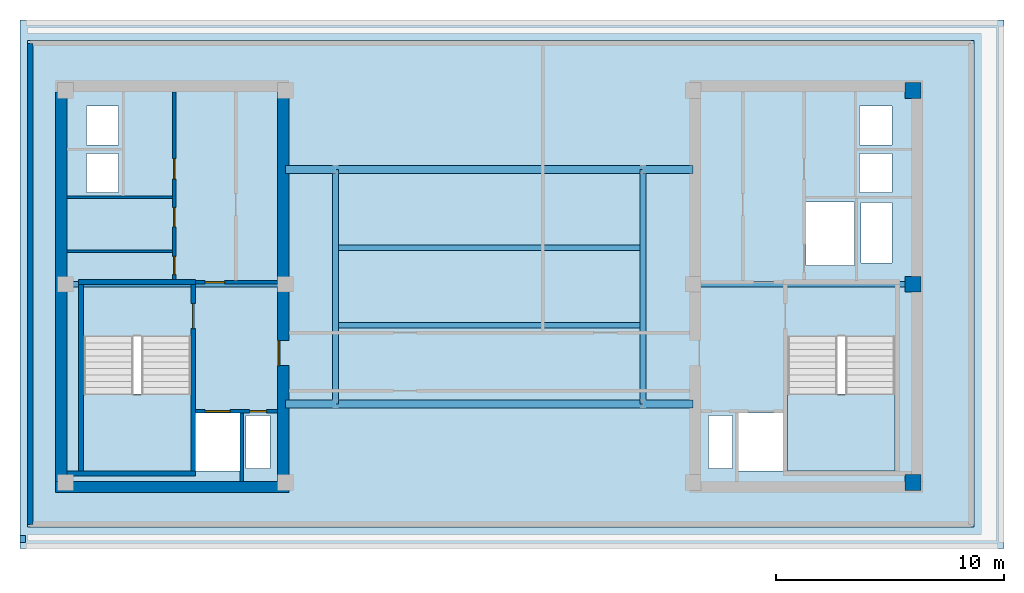
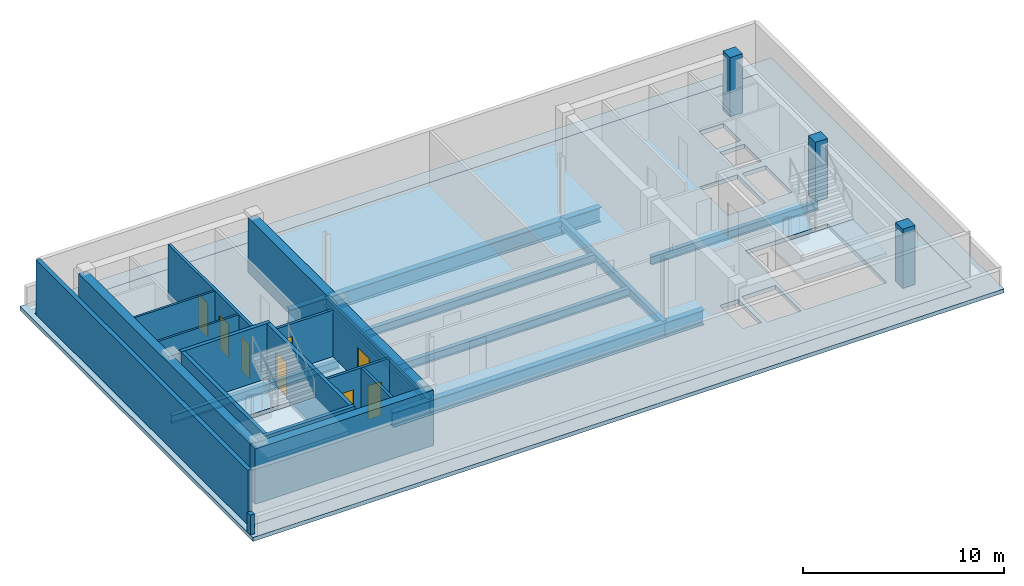
# One storey, part 2 of 5: 15 walls, 12 beams, 8 doors, 4 slabs, 3 columns, 8 openings, 2 elements without a shape of their own.
"""IFC4 building model written with IfcOpenShell, lengths in metres."""

from ifc_helpers import new_model, si_unit, direction, frame, frame_2d, origin, origin_2d, place, context, subcontext, project, spatial, polyline, rectangle, i_section, outline, extrude, material, layer, layer_set, material_profile, profile_set, type_object, element, fill, aggregate, save


model = new_model("IFC4")

# Units and contexts
model_context = context("Model", 3, precision=1e-05, world=origin(), true_north=direction((0.0, 1.0)))
body_context = subcontext(model_context, "Body", "Model", "MODEL_VIEW")
ifc_project = project(units=[si_unit("LENGTHUNIT", "METRE"), si_unit("AREAUNIT", "SQUARE_METRE"), si_unit("VOLUMEUNIT", "CUBIC_METRE"), si_unit("PLANEANGLEUNIT", "RADIAN"), si_unit("MASSUNIT", "GRAM", prefix="KILO")], contexts=[model_context])

# Site, building, storey
site_placement = place(None, origin())
site = spatial("IfcSite", under=ifc_project, at=site_placement, CompositionType="ELEMENT")
building_placement = place(site_placement, origin())
building = spatial("IfcBuilding", under=site, at=building_placement, Name="Velakula Bourse", CompositionType="ELEMENT")
storey_placement = place(building_placement, frame((0.0, 0.0, 301.35009765625)))
storey = spatial("IfcBuildingStorey", under=building, at=storey_placement, Name="L82", CompositionType="ELEMENT", Elevation=301.35009765625)

# Columns
ifc_material_1 = material(Name="Concrete M50 (fck 50 MPa)", Category="concrete")
ifc_material_profile_1 = material_profile(ifc_material_1, rectangle(XDim=0.699951171875, YDim=0.699951171875, at=origin_2d()), Name="Concrete M50 (fck 50 MPa)")
ifc_profile_set_1 = profile_set([ifc_material_profile_1], Name="Concrete M50 (fck 50 MPa)")
column_type = type_object("IfcColumnType", Name="COL-RC-700", PredefinedType="COLUMN", material=ifc_profile_set_1)
for number, where, z_axis, x_axis, name in (
    (1, (18.60009765625, -8.60009765625, 0.0), (0.0, 0.0, 1.0), (1.0, 0.0, 0.0), "L82 Core Boundary Column 10"),
    (2, (18.60009765625, 0.10009765625, 0.0), (0.0, 0.0, 1.0), (1.0, 0.0, 0.0), "L82 Core Boundary Column 11"),
    (3, (18.60009765625, 8.60009765625, 0.0), (0.0, 0.0, 1.0), (1.0, 0.0, 0.0), "L82 Core Boundary Column 12"),
):
    element("IfcColumn", number, at=place(storey_placement, frame(where, z_axis=z_axis, x_axis=x_axis)), inside=storey, type_object=column_type, Name=name, PredefinedType="COLUMN", context=body_context, shape_type="SweptSolid", body=[
        extrude(rectangle(XDim=0.699951171875, YDim=0.699951171875, at=origin_2d()), origin(), (0.0, 0.0, 1.0), 3.599853515625),
    ])

# Beams
ifc_material_2 = material(Name="Steel IS 2062 Grade 350 (E350)", Category="steel")
ifc_material_profile_2 = material_profile(ifc_material_2, i_section(OverallWidth=0.25, OverallDepth=0.5, WebThickness=0.010009765625, FlangeThickness=0.0146484375, at=origin_2d()), Name="Steel IS 2062 Grade 350 (E350)")
ifc_profile_set_2 = profile_set([ifc_material_profile_2], Name="Steel IS 2062 Grade 350 (E350)")
beam_type_1 = type_object("IfcBeamType", Name="BM-EDG-500", PredefinedType="BEAM", material=ifc_profile_set_2)
for number, where, z_axis, x_axis, name in (
    (4, (-18.60009765625, 0.10009765625, -0.5), (1.0, 0.0, 0.0), (0.0, 1.0, 0.0), "L82 Primary Backbone Girder CRW-M"),
    (5, (8.949951171875, 0.10009765625, -0.5), (1.0, 0.0, 0.0), (0.0, 1.0, 0.0), "L82 Primary Backbone Girder CRE-M"),
):
    element("IfcBeam", number, at=place(storey_placement, frame(where, z_axis=z_axis, x_axis=x_axis)), inside=storey, type_object=beam_type_1, Name=name, PredefinedType="BEAM", context=body_context, shape_type="SweptSolid", body=[
        extrude(i_section(OverallWidth=0.25, OverallDepth=0.5, WebThickness=0.010009765625, FlangeThickness=0.0146484375, at=origin_2d()), origin(), (0.0, 0.0, 1.0), 9.650146484375),
    ])
for number, where, z_axis, x_axis, name in (
    (6, (-6.75, -5.14990234375, -0.5), (0.0, 1.0, 0.0), (-1.0, 0.0, 0.0), "L82 Primary Backbone Girder SPN-W"),
    (7, (6.75, -5.14990234375, -0.5), (0.0, 1.0, 0.0), (-1.0, 0.0, 0.0), "L82 Primary Backbone Girder SPN-E"),
):
    element("IfcBeam", number, at=place(storey_placement, frame(where, z_axis=z_axis, x_axis=x_axis)), inside=storey, type_object=beam_type_1, Name=name, PredefinedType="BEAM", context=body_context, shape_type="SweptSolid", body=[
        extrude(i_section(OverallWidth=0.25, OverallDepth=0.5, WebThickness=0.010009765625, FlangeThickness=0.0146484375, at=origin_2d()), origin(), (0.0, 0.0, 1.0), 10.2998046875),
    ])
for number, where, z_axis, x_axis, name in (
    (8, (-6.75, -1.699951171875, -0.5), (1.0, 0.0, 0.0), (0.0, 1.0, 0.0), "L82 Crown Mechanical Floor Girder 1"),
    (9, (-6.75, 1.699951171875, -0.5), (1.0, 0.0, 0.0), (0.0, 1.0, 0.0), "L82 Crown Mechanical Floor Girder 2"),
):
    element("IfcBeam", number, at=place(storey_placement, frame(where, z_axis=z_axis, x_axis=x_axis)), inside=storey, type_object=beam_type_1, Name=name, PredefinedType="BEAM", context=body_context, shape_type="SweptSolid", body=[
        extrude(i_section(OverallWidth=0.25, OverallDepth=0.5, WebThickness=0.010009765625, FlangeThickness=0.0146484375, at=origin_2d()), origin(), (0.0, 0.0, 1.0), 13.5),
    ])
ifc_material_profile_3 = material_profile(ifc_material_2, i_section(OverallWidth=0.35009765625, OverallDepth=0.89990234375, WebThickness=0.02001953125, FlangeThickness=0.031982421875, at=origin_2d()), Name="Steel IS 2062 Grade 350 (E350)")
ifc_profile_set_3 = profile_set([ifc_material_profile_3], Name="Steel IS 2062 Grade 350 (E350)")
beam_type_2 = type_object("IfcBeamType", Name="BM-LNK-900", PredefinedType="BEAM", material=ifc_profile_set_3)
beam_1_placement = place(storey_placement, frame((-8.949951171875, -5.14990234375, -0.7001953125), z_axis=(1.0, 0.0, 0.0), x_axis=(0.0, 1.0, 0.0)))
element("IfcBeam", 10, at=beam_1_placement, inside=storey, type_object=beam_type_2, Name="L82 Primary Backbone Girder LNK-S1", PredefinedType="BEAM", context=body_context, shape_type="SweptSolid", body=[
    extrude(i_section(OverallWidth=0.35009765625, OverallDepth=0.89990234375, WebThickness=0.02001953125, FlangeThickness=0.031982421875, at=origin_2d()), origin(), (0.0, 0.0, 1.0), 2.199951171875),
])
beam_2_placement = place(storey_placement, frame((-6.75, -5.14990234375, -0.7001953125), z_axis=(1.0, 0.0, 0.0), x_axis=(0.0, 1.0, 0.0)))
element("IfcBeam", 11, at=beam_2_placement, inside=storey, type_object=beam_type_2, Name="L82 Primary Backbone Girder LNK-S2", PredefinedType="BEAM", context=body_context, shape_type="SweptSolid", body=[
    extrude(i_section(OverallWidth=0.35009765625, OverallDepth=0.89990234375, WebThickness=0.02001953125, FlangeThickness=0.031982421875, at=origin_2d()), origin(), (0.0, 0.0, 1.0), 13.5),
])
for number, where, z_axis, x_axis, name in (
    (12, (6.75, -5.14990234375, -0.7001953125), (1.0, 0.0, 0.0), (0.0, 1.0, 0.0), "L82 Primary Backbone Girder LNK-S3"),
    (13, (-8.949951171875, 5.14990234375, -0.7001953125), (1.0, 0.0, 0.0), (0.0, 1.0, 0.0), "L82 Primary Backbone Girder LNK-N1"),
):
    element("IfcBeam", number, at=place(storey_placement, frame(where, z_axis=z_axis, x_axis=x_axis)), inside=storey, type_object=beam_type_2, Name=name, PredefinedType="BEAM", context=body_context, shape_type="SweptSolid", body=[
        extrude(i_section(OverallWidth=0.35009765625, OverallDepth=0.89990234375, WebThickness=0.02001953125, FlangeThickness=0.031982421875, at=origin_2d()), origin(), (0.0, 0.0, 1.0), 2.199951171875),
    ])
beam_3_placement = place(storey_placement, frame((-6.75, 5.14990234375, -0.7001953125), z_axis=(1.0, 0.0, 0.0), x_axis=(0.0, 1.0, 0.0)))
element("IfcBeam", 14, at=beam_3_placement, inside=storey, type_object=beam_type_2, Name="L82 Primary Backbone Girder LNK-N2", PredefinedType="BEAM", context=body_context, shape_type="SweptSolid", body=[
    extrude(i_section(OverallWidth=0.35009765625, OverallDepth=0.89990234375, WebThickness=0.02001953125, FlangeThickness=0.031982421875, at=origin_2d()), origin(), (0.0, 0.0, 1.0), 13.5),
])
beam_4_placement = place(storey_placement, frame((6.75, 5.14990234375, -0.7001953125), z_axis=(1.0, 0.0, 0.0), x_axis=(0.0, 1.0, 0.0)))
element("IfcBeam", 15, at=beam_4_placement, inside=storey, type_object=beam_type_2, Name="L82 Primary Backbone Girder LNK-N3", PredefinedType="BEAM", context=body_context, shape_type="SweptSolid", body=[
    extrude(i_section(OverallWidth=0.35009765625, OverallDepth=0.89990234375, WebThickness=0.02001953125, FlangeThickness=0.031982421875, at=origin_2d()), origin(), (0.0, 0.0, 1.0), 2.199951171875),
])

# Slabs
ifc_layer_1 = layer(ifc_material_1, 0.239990234375, Name="Concrete M50 (fck 50 MPa)", Category="concrete")
ifc_layer_set_1 = layer_set([ifc_layer_1], Name="Concrete M50 (fck 50 MPa)")
slab_type_1 = type_object("IfcSlabType", Name="SLB-CRN-ROOF-240", PredefinedType="ROOF", material=ifc_layer_set_1)
slab_1_placement = place(storey_placement, frame((0.0, 0.0, -0.239990234375)))
element("IfcSlab", 16, at=slab_1_placement, inside=storey, type_object=slab_type_1, Name="L82 Crown Step 5 Closed Roof", PredefinedType="ROOF", context=body_context, shape_type="SweptSolid", body=[
    extrude(outline(polyline([(-20.60009765625, 11.699951171875), (22.60009765625, 11.699951171875), (22.60009765625, -11.5), (-20.60009765625, -11.5), (-20.60009765625, 11.699951171875)]), holes=[polyline([(21.280029296875, -10.56005859375), (21.280029296875, 10.800048828125), (-20.280029296875, 10.800048828125), (-20.280029296875, -10.56005859375), (21.280029296875, -10.56005859375)])]), origin(), (0.0, 0.0, 1.0), 0.239990234375),
])
ifc_layer_2 = layer(ifc_material_1, 0.25, Name="Concrete M50 (fck 50 MPa)", Category="concrete")
ifc_layer_set_2 = layer_set([ifc_layer_2], Name="Concrete M50 (fck 50 MPa)")
slab_type_2 = type_object("IfcSlabType", Name="SLB-POD-250", PredefinedType="FLOOR", material=ifc_layer_set_2)
slab_2_placement = place(storey_placement, frame((0.0, 0.0, -0.25)))
element("IfcSlab", 17, at=slab_2_placement, inside=storey, type_object=slab_type_2, Name="L82 Suspended Structural Floor Slab", PredefinedType="FLOOR", context=body_context, shape_type="SweptSolid", body=[
    extrude(outline(polyline([(-20.300048828125, -10.580078125), (21.300048828125, -10.580078125), (21.300048828125, 10.820068359375), (-20.300048828125, 10.820068359375), (-20.300048828125, -10.580078125)]), holes=[polyline([(-17.820068359375, -8.10009765625), (-13.10009765625, -8.10009765625), (-13.10009765625, -2.199951171875), (-17.820068359375, -2.199951171875), (-17.820068359375, -8.10009765625)]), polyline([(13.10009765625, -8.10009765625), (17.820068359375, -8.10009765625), (17.820068359375, -2.199951171875), (13.10009765625, -2.199951171875), (13.10009765625, -8.10009765625)]), polyline([(-12.89990234375, -8.10009765625), (-10.949951171875, -8.10009765625), (-10.949951171875, -5.550048828125), (-12.89990234375, -5.550048828125), (-12.89990234375, -8.10009765625)]), polyline([(10.949951171875, -8.10009765625), (12.89990234375, -8.10009765625), (12.89990234375, -5.550048828125), (10.949951171875, -5.550048828125), (10.949951171875, -8.10009765625)]), polyline([(13.89990234375, 0.919921875), (16.050048828125, 0.919921875), (16.050048828125, 3.719970703125), (13.89990234375, 3.719970703125), (13.89990234375, 0.919921875)]), polyline([(-10.679931640625, -7.97998046875), (-9.6201171875, -7.97998046875), (-9.6201171875, -5.669921875), (-10.679931640625, -5.669921875), (-10.679931640625, -7.97998046875)]), polyline([(-17.679931640625, 4.139892578125), (-16.27001953125, 4.139892578125), (-16.27001953125, 5.85009765625), (-17.679931640625, 5.85009765625), (-17.679931640625, 4.139892578125)]), polyline([(-17.679931640625, 6.2099609375), (-16.27001953125, 6.2099609375), (-16.27001953125, 7.919921875), (-17.679931640625, 7.919921875), (-17.679931640625, 6.2099609375)]), polyline([(9.6201171875, -7.97998046875), (10.679931640625, -7.97998046875), (10.679931640625, -5.669921875), (9.6201171875, -5.669921875), (9.6201171875, -7.97998046875)]), polyline([(16.27001953125, 4.139892578125), (17.679931640625, 4.139892578125), (17.679931640625, 5.85009765625), (16.27001953125, 5.85009765625), (16.27001953125, 4.139892578125)]), polyline([(16.27001953125, 6.2099609375), (17.679931640625, 6.2099609375), (17.679931640625, 7.919921875), (16.27001953125, 7.919921875), (16.27001953125, 6.2099609375)]), polyline([(16.320068359375, 1.0400390625), (17.679931640625, 1.0400390625), (17.679931640625, 3.699951171875), (16.320068359375, 3.699951171875), (16.320068359375, 1.0400390625)])]), origin(), (0.0, 0.0, 1.0), 0.25),
])

# Stair, slab
ifc_material_3 = material(Name="Concrete M45 (fck 45 MPa)", Category="concrete")
stair_type = type_object("IfcStairType", Name="STR-DOG-390", PredefinedType="HALF_TURN_STAIR", material=ifc_material_3)
stair_1_placement = place(storey_placement, origin())
stair_1 = element("IfcStair", 18, at=stair_1_placement, inside=storey, type_object=stair_type, Name="L82 West Core Exit Stair ST-W1", PredefinedType="HALF_TURN_STAIR")
ifc_layer_3 = layer(ifc_material_3, 0.199951171875, Name="Concrete M45 (fck 45 MPa)", Category="concrete")
ifc_layer_set_3 = layer_set([ifc_layer_3], Name="Concrete M45 (fck 45 MPa)")
slab_type_3 = type_object("IfcSlabType", Name="SLB-STAIR-LND-200", PredefinedType="LANDING", material=ifc_layer_set_3)
slab_3_placement = place(storey_placement, frame((0.0, 0.0, 1.599853515625)))
slab_3 = element("IfcSlab", 19, at=slab_3_placement, type_object=slab_type_3, Name="ST-W1 landing 1", PredefinedType="LANDING", context=body_context, shape_type="SweptSolid", body=[
    extrude(outline(polyline([(-17.820068359375, -4.719970703125), (-17.820068359375, -8.10009765625), (-13.10009765625, -8.10009765625), (-13.10009765625, -4.719970703125), (-17.820068359375, -4.719970703125)])), origin(), (0.0, 0.0, 1.0), 0.199951171875),
])
aggregate(stair_1, [slab_3])

stair_2_placement = place(storey_placement, origin())
stair_2 = element("IfcStair", 20, at=stair_2_placement, inside=storey, type_object=stair_type, Name="L82 East Core Exit Stair ST-E1", PredefinedType="HALF_TURN_STAIR")
slab_4_placement = place(storey_placement, frame((0.0, 0.0, 1.599853515625)))
slab_4 = element("IfcSlab", 21, at=slab_4_placement, type_object=slab_type_3, Name="ST-E1 landing 1", PredefinedType="LANDING", context=body_context, shape_type="SweptSolid", body=[
    extrude(outline(polyline([(13.10009765625, -4.719970703125), (13.10009765625, -8.10009765625), (17.820068359375, -8.10009765625), (17.820068359375, -4.719970703125), (13.10009765625, -4.719970703125)])), origin(), (0.0, 0.0, 1.0), 0.199951171875),
])
aggregate(stair_2, [slab_4])

# Wall, opening, door
ifc_layer_4 = layer(ifc_material_1, 0.2099609375, Name="Concrete M50 (fck 50 MPa)", Category="concrete")
ifc_layer_set_4 = layer_set([ifc_layer_4], Name="Concrete M50 (fck 50 MPa)")
wall_type_1 = type_object("IfcWallType", Name="WL-CORE-210", PredefinedType="SHEAR", material=ifc_layer_set_4)
wall_1_placement = place(storey_placement, frame((-12.9951171875, -8.10009765625, 0.0), z_axis=(0.0, 0.0, 1.0), x_axis=(0.0, 1.0, 0.0)))
wall_1 = element("IfcWall", 22, at=wall_1_placement, inside=storey, type_object=wall_type_1, Name="L82 Core W Stairwell Shear Wall IN", PredefinedType="SHEAR", context=body_context, shape_type="SweptSolid", body=[
    extrude(rectangle(XDim=8.2001953125, YDim=0.2099609375, at=frame_2d((4.10009765625, 0.0))), origin(), (0.0, 0.0, 1.0), 3.349853515625),
])
opening_1_placement = place(wall_1_placement, frame((6.25, 0.0, 0.0)))
opening_1 = element("IfcOpeningElement", 23, at=opening_1_placement, cuts=wall_1, Name="Opening D-STW1", PredefinedType="OPENING", context=body_context, shape_type="SweptSolid", body=[
    extrude(rectangle(XDim=1.10009765625, YDim=2.14990234375, at=frame_2d((0.550048828125, 1.074951171875))), frame((0.0, 0.114990234375, 0.0), z_axis=(0.0, -1.0, 0.0), x_axis=(1.0, 0.0, 0.0)), (0.0, 0.0, 1.0), 0.22998046875),
])
ifc_material_4 = material(Name="Galvanised painted hollow steel fire door", Category="steel")
door_type_1 = type_object("IfcDoorType", Name="DR-FD120-1100x2150", OperationType="NOTDEFINED", PredefinedType="DOOR", material=ifc_material_4)
door_1_placement = place(opening_1_placement, origin())
door_1 = element("IfcDoor", 24, at=door_1_placement, inside=storey, type_object=door_type_1, Name="L82 Stair ST-W1 Fire Door", OperationType="SINGLE_SWING_LEFT", OverallHeight=2.14990234375, OverallWidth=1.10009765625, PredefinedType="DOOR", context=body_context, shape_type="SweptSolid", body=[
    extrude(rectangle(XDim=1.10009765625, YDim=2.14990234375, at=frame_2d((0.550048828125, 1.074951171875))), frame((0.0, 0.02490234375, 0.0), z_axis=(0.0, -1.0, 0.0), x_axis=(1.0, 0.0, 0.0)), (0.0, 0.0, 1.0), 0.050048828125),
])
fill(opening_1, door_1)

# Walls
wall_2_placement = place(storey_placement, frame((-17.925048828125, -8.10009765625, 0.0), z_axis=(0.0, 0.0, 1.0), x_axis=(0.0, 1.0, 0.0)))
element("IfcWall", 25, at=wall_2_placement, inside=storey, type_object=wall_type_1, Name="L82 Core W Stairwell Shear Wall OUT", PredefinedType="SHEAR", context=body_context, shape_type="SweptSolid", body=[
    extrude(rectangle(XDim=8.2001953125, YDim=0.2099609375, at=frame_2d((4.10009765625, 0.0))), origin(), (0.0, 0.0, 1.0), 3.349853515625),
])
wall_3_placement = place(storey_placement, frame((-18.550048828125, -8.205078125, 0.0), z_axis=(0.0, 0.0, 1.0), x_axis=(1.0, 0.0, 0.0)))
element("IfcWall", 26, at=wall_3_placement, inside=storey, type_object=wall_type_1, Name="L82 Core W Stairwell Shear Wall S", PredefinedType="SHEAR", context=body_context, shape_type="SweptSolid", body=[
    extrude(rectangle(XDim=5.66015625, YDim=0.2099609375, at=frame_2d((2.830078125, 0.0))), origin(), (0.0, 0.0, 1.0), 3.349853515625),
])
wall_4_placement = place(storey_placement, frame((-12.889892578125, 0.205078125, 0.0), z_axis=(0.0, 0.0, 1.0), x_axis=(-1.0, 0.0, 0.0)))
element("IfcWall", 27, at=wall_4_placement, inside=storey, type_object=wall_type_1, Name="L82 Core W Stairwell Shear Wall N", PredefinedType="SHEAR", context=body_context, shape_type="SweptSolid", body=[
    extrude(rectangle(XDim=5.14013671875, YDim=0.2099609375, at=frame_2d((2.570068359375, 0.0))), origin(), (0.0, 0.0, 1.0), 3.349853515625),
])
ifc_layer_5 = layer(ifc_material_1, 0.5, Name="Concrete M50 (fck 50 MPa)", Category="concrete")
ifc_layer_set_5 = layer_set([ifc_layer_5], Name="Concrete M50 (fck 50 MPa)")
wall_type_2 = type_object("IfcWallType", Name="WL-CORE-500", PredefinedType="SHEAR", material=ifc_layer_set_5)
wall_5_placement = place(storey_placement, frame((-19.050048828125, -8.800048828125, 0.0), z_axis=(0.0, 0.0, 1.0), x_axis=(1.0, 0.0, 0.0)))
element("IfcWall", 28, at=wall_5_placement, inside=storey, type_object=wall_type_2, Name="L82 Core W Shear Wall S", PredefinedType="SHEAR", context=body_context, shape_type="SweptSolid", body=[
    extrude(rectangle(XDim=10.25, YDim=0.5, at=frame_2d((5.125, 0.0))), origin(), (0.0, 0.0, 1.0), 3.349853515625),
])
wall_6_placement = place(storey_placement, frame((-18.800048828125, -8.550048828125, 0.0), z_axis=(0.0, 0.0, 1.0), x_axis=(0.0, 1.0, 0.0)))
element("IfcWall", 29, at=wall_6_placement, inside=storey, type_object=wall_type_2, Name="L82 Core W Shear Wall W", PredefinedType="SHEAR", context=body_context, shape_type="SweptSolid", body=[
    extrude(rectangle(XDim=17.10009765625, YDim=0.5, at=frame_2d((8.550048828125, 0.0))), origin(), (0.0, 0.0, 1.0), 3.349853515625),
])

# Wall, opening, door
wall_7_placement = place(storey_placement, frame((-9.050048828125, -8.550048828125, 0.0), z_axis=(0.0, 0.0, 1.0), x_axis=(0.0, 1.0, 0.0)))
wall_7 = element("IfcWall", 30, at=wall_7_placement, inside=storey, type_object=wall_type_2, Name="L82 Core W Shear Wall E", PredefinedType="SHEAR", context=body_context, shape_type="SweptSolid", body=[
    extrude(rectangle(XDim=17.10009765625, YDim=0.5, at=frame_2d((8.550048828125, 0.0))), origin(), (0.0, 0.0, 1.0), 3.349853515625),
])
opening_2_placement = place(wall_7_placement, frame((5.080078125, 0.0, 0.0)))
opening_2 = element("IfcOpeningElement", 31, at=opening_2_placement, cuts=wall_7, Name="Opening D-FLW", PredefinedType="OPENING", context=body_context, shape_type="SweptSolid", body=[
    extrude(rectangle(XDim=1.10009765625, YDim=2.080078125, at=frame_2d((0.550048828125, 1.0400390625))), frame((0.0, 0.260009765625, 0.0), z_axis=(0.0, -1.0, 0.0), x_axis=(1.0, 0.0, 0.0)), (0.0, 0.0, 1.0), 0.52001953125),
])
door_type_2 = type_object("IfcDoorType", Name="DR-FD120-1100", OperationType="NOTDEFINED", PredefinedType="DOOR", material=ifc_material_4)
door_2_placement = place(opening_2_placement, origin())
door_2 = element("IfcDoor", 32, at=door_2_placement, inside=storey, type_object=door_type_2, Name="L82 Firefighting Lobby W Corridor Fire Door", OperationType="SINGLE_SWING_LEFT", OverallHeight=2.080078125, OverallWidth=1.10009765625, PredefinedType="DOOR", context=body_context, shape_type="SweptSolid", body=[
    extrude(rectangle(XDim=1.10009765625, YDim=2.080078125, at=frame_2d((0.550048828125, 1.0400390625))), frame((0.0, 0.205078125, 0.0), z_axis=(0.0, -1.0, 0.0), x_axis=(1.0, 0.0, 0.0)), (0.0, 0.0, 1.0), 0.050048828125),
])
fill(opening_2, door_2)

# Walls
ifc_material_5 = material(Name="Buff kilned clay facing brick masonry", Category="masonry")
ifc_layer_6 = layer(ifc_material_5, 0.239990234375, Name="Buff kilned clay facing brick masonry", Category="masonry")
ifc_layer_set_6 = layer_set([ifc_layer_6], Name="Buff kilned clay facing brick masonry")
wall_type_3 = type_object("IfcWallType", Name="WL-EXT-CRN-240", PredefinedType="STANDARD", material=ifc_layer_set_6)
wall_8_placement = place(storey_placement, frame((-20.159912109375, 10.679931640625, 0.0), z_axis=(0.0, 0.0, 1.0), x_axis=(0.0, -1.0, 0.0)))
element("IfcWall", 33, at=wall_8_placement, inside=storey, type_object=wall_type_3, Name="L82 Crown Brick Acoustic Wall W", PredefinedType="STANDARD", context=body_context, shape_type="SweptSolid", body=[
    extrude(rectangle(XDim=21.119873046875, YDim=0.239990234375, at=frame_2d((10.56005859375, 0.0))), origin(), (0.0, 0.0, 1.0), 3.329833984375),
])
ifc_layer_7 = layer(ifc_material_5, 0.25, Name="Buff kilned clay facing brick masonry", Category="masonry")
ifc_layer_set_7 = layer_set([ifc_layer_7], Name="Buff kilned clay facing brick masonry")
wall_type_4 = type_object("IfcWallType", Name="WL-PAR-ROOF-250", PredefinedType="PARAPET", material=ifc_layer_set_7)
wall_9_placement = place(storey_placement, frame((-20.47998046875, -11.25, 0.0), z_axis=(0.0, 0.0, 1.0), x_axis=(0.0, 1.0, 0.0)))
element("IfcWall", 34, at=wall_9_placement, inside=storey, type_object=wall_type_4, Name="L82 Closed Roof Perimeter Parapet 4", PredefinedType="PARAPET", context=body_context, shape_type="SweptSolid", body=[
    extrude(rectangle(XDim=0.320068359375, YDim=0.25, at=frame_2d((0.16015625, 0.0))), origin(), (0.0, 0.0, 1.0), 1.199951171875),
])
ifc_material_6 = material(Name="Fire-rated double-layer gypsum drywall partition", Category="gypsum")
ifc_layer_8 = layer(ifc_material_6, 0.1201171875, Name="Fire-rated double-layer gypsum drywall partition", Category="gypsum")
ifc_layer_set_8 = layer_set([ifc_layer_8], Name="Fire-rated double-layer gypsum drywall partition")
wall_type_5 = type_object("IfcWallType", Name="WL-PART-120", PredefinedType="STANDARD", material=ifc_layer_set_8)
for number, where, z_axis, x_axis, name in (
    (35, (-18.550048828125, 3.919921875, 0.0), (0.0, 0.0, 1.0), (1.0, 0.0, 0.0), "L82 Interior Partition WL-CRW-L82-HI-S"),
    (36, (-18.550048828125, 1.550048828125, 0.0), (0.0, 0.0, 1.0), (1.0, 0.0, 0.0), "L82 Interior Partition WL-CRW-L82-K1"),
):
    element("IfcWall", number, at=place(storey_placement, frame(where, z_axis=z_axis, x_axis=x_axis)), inside=storey, type_object=wall_type_5, Name=name, PredefinedType="STANDARD", context=body_context, shape_type="SweptSolid", body=[
        extrude(rectangle(XDim=4.650146484375, YDim=0.1201171875, at=frame_2d((2.3251953125, 0.0))), origin(), (0.0, 0.0, 1.0), 3.329833984375),
    ])

# Wall, openings, doors
ifc_material_7 = material(Name="Autoclaved aerated concrete blockwork masonry", Category="masonry")
ifc_layer_9 = layer(ifc_material_7, 0.14990234375, Name="Autoclaved aerated concrete blockwork masonry", Category="masonry")
ifc_layer_set_9 = layer_set([ifc_layer_9], Name="Autoclaved aerated concrete blockwork masonry")
wall_type_6 = type_object("IfcWallType", Name="WL-SHAFT-150", PredefinedType="STANDARD", material=ifc_layer_set_9)
wall_10_placement = place(storey_placement, frame((-12.89501953125, -5.47509765625, 0.0), z_axis=(0.0, 0.0, 1.0), x_axis=(1.0, 0.0, 0.0)))
wall_10 = element("IfcWall", 37, at=wall_10_placement, inside=storey, type_object=wall_type_6, Name="L82 Interior Partition WL-CRW-L82-FFL-N", PredefinedType="STANDARD", context=body_context, shape_type="SweptSolid", body=[
    extrude(rectangle(XDim=3.594970703125, YDim=0.14990234375, at=frame_2d((1.79736328125, 0.0))), origin(), (0.0, 0.0, 1.0), 3.329833984375),
])
opening_3_placement = place(wall_10_placement, frame((0.419921875, 0.0, 0.0)))
opening_3 = element("IfcOpeningElement", 38, at=opening_3_placement, cuts=wall_10, Name="Opening LD-FFL-1", PredefinedType="OPENING", context=body_context, shape_type="SweptSolid", body=[
    extrude(rectangle(XDim=1.10009765625, YDim=2.14990234375, at=frame_2d((0.550048828125, 1.074951171875))), frame((0.0, 0.0849609375, 0.0), z_axis=(0.0, -1.0, 0.0), x_axis=(1.0, 0.0, 0.0)), (0.0, 0.0, 1.0), 0.169921875),
])
opening_4_placement = place(wall_10_placement, frame((2.3701171875, 0.0, 0.0)))
opening_4 = element("IfcOpeningElement", 39, at=opening_4_placement, cuts=wall_10, Name="Opening D-RS1", PredefinedType="OPENING", context=body_context, shape_type="SweptSolid", body=[
    extrude(rectangle(XDim=0.75, YDim=2.050048828125, at=frame_2d((0.375, 1.02490234375))), frame((0.0, 0.0849609375, 0.0), z_axis=(0.0, -1.0, 0.0), x_axis=(1.0, 0.0, 0.0)), (0.0, 0.0, 1.0), 0.169921875),
])
door_type_3 = type_object("IfcDoorType", Name="DR-RISER-800", OperationType="NOTDEFINED", PredefinedType="DOOR", material=ifc_material_4)
door_3_placement = place(opening_4_placement, origin())
door_3 = element("IfcDoor", 40, at=door_3_placement, inside=storey, type_object=door_type_3, Name="L82 Fire Riser Access Door", OperationType="SINGLE_SWING_LEFT", OverallHeight=2.050048828125, OverallWidth=0.75, PredefinedType="DOOR", context=body_context, shape_type="SweptSolid", body=[
    extrude(rectangle(XDim=0.75, YDim=2.050048828125, at=frame_2d((0.375, 1.02490234375))), frame((0.0, 0.02490234375, 0.0), z_axis=(0.0, -1.0, 0.0), x_axis=(1.0, 0.0, 0.0)), (0.0, 0.0, 1.0), 0.050048828125),
])
fill(opening_4, door_3)
ifc_material_8 = material(Name="Brushed grade 316 stainless steel", Category="steel")
door_type_4 = type_object("IfcDoorType", Name="DR-SLIDE-FFL-1100", OperationType="DOUBLE_DOOR_SLIDING", PredefinedType="DOOR", material=ifc_material_8)
door_4_placement = place(opening_3_placement, origin())
door_4 = element("IfcDoor", 41, at=door_4_placement, inside=storey, type_object=door_type_4, Name="L82 Firefighting Lift FFL-1 Sliding Landing Door", OperationType="DOUBLE_DOOR_SLIDING", OverallHeight=2.14990234375, OverallWidth=1.10009765625, PredefinedType="DOOR", context=body_context, shape_type="SweptSolid", body=[
    extrude(rectangle(XDim=1.10009765625, YDim=2.14990234375, at=frame_2d((0.550048828125, 1.074951171875))), frame((0.0, 0.02490234375, 0.0), z_axis=(0.0, -1.0, 0.0), x_axis=(1.0, 0.0, 0.0)), (0.0, 0.0, 1.0), 0.050048828125),
])
fill(opening_3, door_4)

# Wall
wall_11_placement = place(storey_placement, frame((-10.875, -8.550048828125, 0.0), z_axis=(0.0, 0.0, 1.0), x_axis=(0.0, 1.0, 0.0)))
element("IfcWall", 42, at=wall_11_placement, inside=storey, type_object=wall_type_6, Name="L82 Interior Partition WL-CRW-L82-FR-DIV", PredefinedType="STANDARD", context=body_context, shape_type="SweptSolid", body=[
    extrude(rectangle(XDim=3.0, YDim=0.14990234375, at=frame_2d((1.5, 0.0))), origin(), (0.0, 0.0, 1.0), 3.329833984375),
])

# Wall, opening, door
wall_12_placement = place(storey_placement, frame((-12.889892578125, 0.18994140625, 0.0), z_axis=(0.0, 0.0, 1.0), x_axis=(1.0, 0.0, 0.0)))
wall_12 = element("IfcWall", 43, at=wall_12_placement, inside=storey, type_object=wall_type_6, Name="L82 Interior Partition WL-CRW-L82-FF-TOP", PredefinedType="STANDARD", context=body_context, shape_type="SweptSolid", body=[
    extrude(rectangle(XDim=3.58984375, YDim=0.14990234375, at=frame_2d((1.794921875, 0.0))), origin(), (0.0, 0.0, 1.0), 2.824951171875),
])
opening_5_placement = place(wall_12_placement, frame((0.4150390625, 0.0, 0.0)))
opening_5 = element("IfcOpeningElement", 44, at=opening_5_placement, cuts=wall_12, Name="Opening D-FC1", PredefinedType="OPENING", context=body_context, shape_type="SweptSolid", body=[
    extrude(rectangle(XDim=0.85009765625, YDim=2.0400390625, at=frame_2d((0.425048828125, 1.02001953125))), frame((0.0, 0.0849609375, 0.0), z_axis=(0.0, -1.0, 0.0), x_axis=(1.0, 0.0, 0.0)), (0.0, 0.0, 1.0), 0.169921875),
])
door_type_5 = type_object("IfcDoorType", Name="DR-FD120-850", OperationType="NOTDEFINED", PredefinedType="DOOR", material=ifc_material_4)
door_5_placement = place(opening_5_placement, origin())
door_5 = element("IfcDoor", 45, at=door_5_placement, inside=storey, type_object=door_type_5, Name="L82 Firefighting Lobby Link Fire Door", OperationType="SINGLE_SWING_RIGHT", OverallHeight=2.0400390625, OverallWidth=0.85009765625, PredefinedType="DOOR", context=body_context, shape_type="SweptSolid", body=[
    extrude(rectangle(XDim=0.85009765625, YDim=2.0400390625, at=frame_2d((0.425048828125, 1.02001953125))), frame((0.0, 0.02490234375, 0.0), z_axis=(0.0, -1.0, 0.0), x_axis=(1.0, 0.0, 0.0)), (0.0, 0.0, 1.0), 0.050048828125),
])
fill(opening_5, door_5)

# Wall, openings, doors
wall_13_placement = place(storey_placement, frame((-13.824951171875, 0.27001953125, 0.0), z_axis=(0.0, 0.0, 1.0), x_axis=(0.0, 1.0, 0.0)))
wall_13 = element("IfcWall", 46, at=wall_13_placement, inside=storey, type_object=wall_type_6, Name="L82 Interior Partition WL-CRW-L82-OUT-F", PredefinedType="STANDARD", context=body_context, shape_type="SweptSolid", body=[
    extrude(rectangle(XDim=8.280029296875, YDim=0.14990234375, at=frame_2d((4.14013671875, 0.0))), origin(), (0.0, 0.0, 1.0), 3.329833984375),
])
opening_6_placement = place(wall_13_placement, frame((4.449951171875, 0.0, 0.0)))
opening_6 = element("IfcOpeningElement", 47, at=opening_6_placement, cuts=wall_13, Name="Opening D-RC3", PredefinedType="OPENING", context=body_context, shape_type="SweptSolid", body=[
    extrude(rectangle(XDim=0.89990234375, YDim=2.050048828125, at=frame_2d((0.449951171875, 1.02490234375))), frame((0.0, 0.0849609375, 0.0), z_axis=(0.0, -1.0, 0.0), x_axis=(1.0, 0.0, 0.0)), (0.0, 0.0, 1.0), 0.169921875),
])
opening_7_placement = place(wall_13_placement, frame((0.25, 0.0, 0.0)))
opening_7 = element("IfcOpeningElement", 48, at=opening_7_placement, cuts=wall_13, Name="Opening D-CS1", PredefinedType="OPENING", context=body_context, shape_type="SweptSolid", body=[
    extrude(rectangle(XDim=0.800048828125, YDim=2.050048828125, at=frame_2d((0.39990234375, 1.02490234375))), frame((0.0, 0.0849609375, 0.0), z_axis=(0.0, -1.0, 0.0), x_axis=(1.0, 0.0, 0.0)), (0.0, 0.0, 1.0), 0.169921875),
])
opening_8_placement = place(wall_13_placement, frame((2.35009765625, 0.0, 0.0)))
opening_8 = element("IfcOpeningElement", 49, at=opening_8_placement, cuts=wall_13, Name="Opening D-CW1", PredefinedType="OPENING", context=body_context, shape_type="SweptSolid", body=[
    extrude(rectangle(XDim=0.85009765625, YDim=2.050048828125, at=frame_2d((0.425048828125, 1.02490234375))), frame((0.0, 0.0849609375, 0.0), z_axis=(0.0, -1.0, 0.0), x_axis=(1.0, 0.0, 0.0)), (0.0, 0.0, 1.0), 0.169921875),
])
ifc_material_9 = material(Name="Fire-rated hardwood flush architectural door", Category="wood")
door_type_6 = type_object("IfcDoorType", Name="DR-FD60-900", OperationType="NOTDEFINED", PredefinedType="DOOR", material=ifc_material_9)
door_6_placement = place(opening_6_placement, origin())
door_6 = element("IfcDoor", 50, at=door_6_placement, inside=storey, type_object=door_type_6, Name="L82 Crown Lift Machine Plant Room Door", OperationType="SINGLE_SWING_LEFT", OverallHeight=2.050048828125, OverallWidth=0.89990234375, PredefinedType="DOOR", context=body_context, shape_type="SweptSolid", body=[
    extrude(rectangle(XDim=0.89990234375, YDim=2.050048828125, at=frame_2d((0.449951171875, 1.02490234375))), frame((0.0, 0.02490234375, 0.0), z_axis=(0.0, -1.0, 0.0), x_axis=(1.0, 0.0, 0.0)), (0.0, 0.0, 1.0), 0.050048828125),
])
fill(opening_6, door_6)
door_type_7 = type_object("IfcDoorType", Name="DR-INT-850", OperationType="NOTDEFINED", PredefinedType="DOOR", material=ifc_material_9)
door_7_placement = place(opening_8_placement, origin())
door_7 = element("IfcDoor", 51, at=door_7_placement, inside=storey, type_object=door_type_7, Name="L82 Core Janitor Closet Door", OperationType="SINGLE_SWING_RIGHT", OverallHeight=2.050048828125, OverallWidth=0.85009765625, PredefinedType="DOOR", context=body_context, shape_type="SweptSolid", body=[
    extrude(rectangle(XDim=0.85009765625, YDim=2.050048828125, at=frame_2d((0.425048828125, 1.02490234375))), frame((0.0, 0.02490234375, 0.0), z_axis=(0.0, -1.0, 0.0), x_axis=(1.0, 0.0, 0.0)), (0.0, 0.0, 1.0), 0.050048828125),
])
fill(opening_8, door_7)
door_type_8 = type_object("IfcDoorType", Name="DR-RISER-800x2050", OperationType="NOTDEFINED", PredefinedType="DOOR", material=ifc_material_4)
door_8_placement = place(opening_7_placement, origin())
door_8 = element("IfcDoor", 52, at=door_8_placement, inside=storey, type_object=door_type_8, Name="L82 Core Cleaner Store Door", OperationType="SINGLE_SWING_LEFT", OverallHeight=2.050048828125, OverallWidth=0.800048828125, PredefinedType="DOOR", context=body_context, shape_type="SweptSolid", body=[
    extrude(rectangle(XDim=0.800048828125, YDim=2.050048828125, at=frame_2d((0.39990234375, 1.02490234375))), frame((0.0, 0.02490234375, 0.0), z_axis=(0.0, -1.0, 0.0), x_axis=(1.0, 0.0, 0.0)), (0.0, 0.0, 1.0), 0.050048828125),
])
fill(opening_7, door_8)

save(model, "model.ifc")
